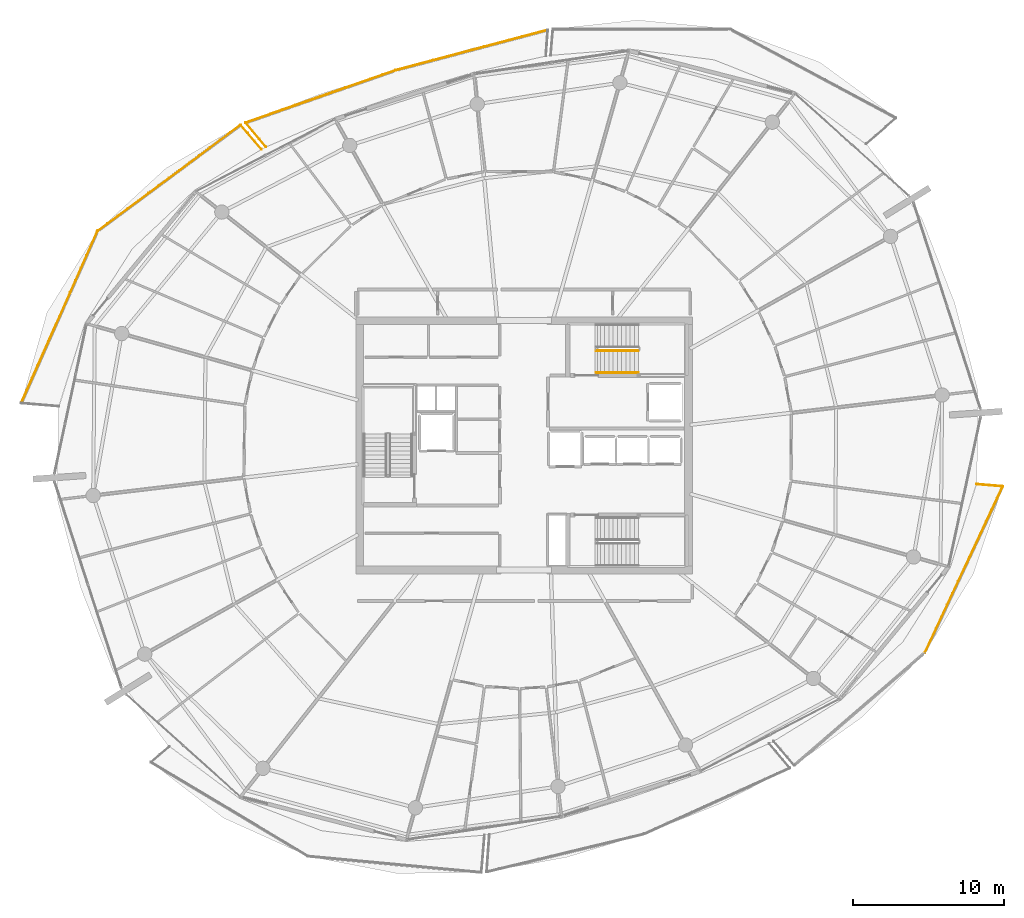
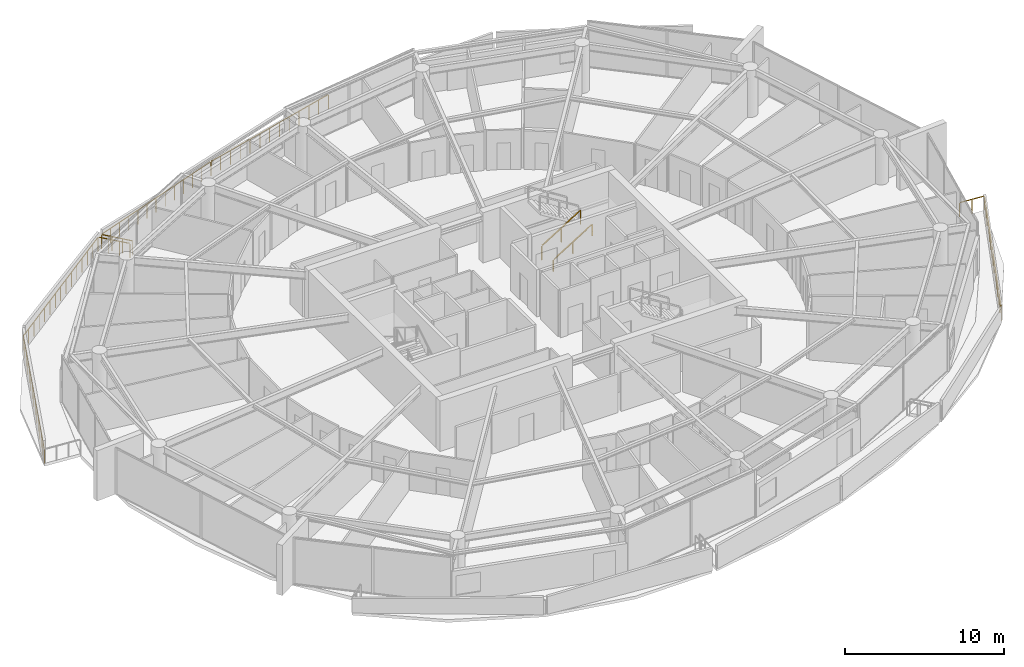
# One storey, part 28 of 30: 10 railings.
"""IFC4 building model written with IfcOpenShell, lengths in metres."""

from ifc_helpers import new_model, si_unit, direction, frame, origin, origin_2d, place, context, subcontext, project, spatial, rectangle, extrude, material, type_object, element, save


model = new_model("IFC4")

# Units and contexts
model_context = context("Model", 3, precision=1e-05, world=origin(), true_north=direction((0.0, 1.0)))
body_context = subcontext(model_context, "Body", "Model", "MODEL_VIEW")
ifc_project = project(units=[si_unit("LENGTHUNIT", "METRE"), si_unit("AREAUNIT", "SQUARE_METRE"), si_unit("VOLUMEUNIT", "CUBIC_METRE"), si_unit("PLANEANGLEUNIT", "RADIAN"), si_unit("MASSUNIT", "GRAM", prefix="KILO")], contexts=[model_context])

# Site, building, storey
site_placement = place(None, origin())
site = spatial("IfcSite", under=ifc_project, at=site_placement, CompositionType="ELEMENT")
building_placement = place(site_placement, origin())
building = spatial("IfcBuilding", under=site, at=building_placement, Name="Kazma Halo Residences", CompositionType="ELEMENT")
storey_placement = place(building_placement, frame((0.0, 0.0, 294.449951171875)))
storey = spatial("IfcBuildingStorey", under=building, at=storey_placement, Name="L74", CompositionType="ELEMENT", Elevation=294.449951171875)

# Railings
ifc_material_1 = material(Name="Aluminium AW-6063 T6 Brushed Cap Rail", Category="aluminium")
railing_type_1 = type_object("IfcRailingType", Name="RLG-BAL-CAP-1120", PredefinedType="BALUSTRADE", material=ifc_material_1)
railing_1_placement = place(storey_placement, frame((49.993408203125, 69.47265625, 0.0)))
element("IfcRailing", 1, at=railing_1_placement, inside=storey, type_object=railing_type_1, Name="L74 NNW wave balcony guard 2", PredefinedType="BALUSTRADE", context=body_context, shape_type="SweptSolid", body=[
    extrude(rectangle(XDim=0.050048828125, YDim=0.050048828125, at=origin_2d()), frame((-0.041015625, -0.010986328125, 1.09521484375), z_axis=(-0.966571887032, -0.256395762836, 0.0), x_axis=(0.256395762836, -0.966571887032, 0.0)), (0.0, 0.0, 1.0), 10.31591796875),
    extrude(rectangle(XDim=0.0400390625, YDim=0.0400390625, at=origin_2d()), origin(), (0.0, 0.0, 1.0), 1.05810546875),
    extrude(rectangle(XDim=0.0400390625, YDim=0.0400390625, at=origin_2d()), frame((-0.837890625, -0.22216796875, 0.0)), (0.0, 0.0, 1.0), 1.05810546875),
    extrude(rectangle(XDim=0.0400390625, YDim=0.0400390625, at=origin_2d()), frame((-1.675537109375, -0.4443359375, 0.0)), (0.0, 0.0, 1.0), 1.05810546875),
    extrude(rectangle(XDim=0.0400390625, YDim=0.0400390625, at=origin_2d()), frame((-2.51318359375, -0.666748046875, 0.0)), (0.0, 0.0, 1.0), 1.05810546875),
    extrude(rectangle(XDim=0.0400390625, YDim=0.0400390625, at=origin_2d()), frame((-3.35107421875, -0.888916015625, 0.0)), (0.0, 0.0, 1.0), 1.05810546875),
    extrude(rectangle(XDim=0.0400390625, YDim=0.0400390625, at=origin_2d()), frame((-4.18896484375, -1.111083984375, 0.0)), (0.0, 0.0, 1.0), 1.05810546875),
    extrude(rectangle(XDim=0.0400390625, YDim=0.0400390625, at=origin_2d()), frame((-5.026611328125, -1.33349609375, 0.0)), (0.0, 0.0, 1.0), 1.05810546875),
    extrude(rectangle(XDim=0.0400390625, YDim=0.0400390625, at=origin_2d()), frame((-5.8642578125, -1.5556640625, 0.0)), (0.0, 0.0, 1.0), 1.05810546875),
    extrude(rectangle(XDim=0.0400390625, YDim=0.0400390625, at=origin_2d()), frame((-6.7021484375, -1.77783203125, 0.0)), (0.0, 0.0, 1.0), 1.05810546875),
    extrude(rectangle(XDim=0.0400390625, YDim=0.0400390625, at=origin_2d()), frame((-7.5400390625, -2.0, 0.0)), (0.0, 0.0, 1.0), 1.05810546875),
    extrude(rectangle(XDim=0.0400390625, YDim=0.0400390625, at=origin_2d()), frame((-8.377685546875, -2.22216796875, 0.0)), (0.0, 0.0, 1.0), 1.05810546875),
    extrude(rectangle(XDim=0.0400390625, YDim=0.0400390625, at=origin_2d()), frame((-9.21533203125, -2.444580078125, 0.0)), (0.0, 0.0, 1.0), 1.05810546875),
    extrude(rectangle(XDim=0.0400390625, YDim=0.0400390625, at=origin_2d()), frame((-10.05322265625, -2.666748046875, 0.0)), (0.0, 0.0, 1.0), 1.05810546875),
])
railing_2_placement = place(storey_placement, frame((39.940185546875, 66.805908203125, 0.0)))
element("IfcRailing", 2, at=railing_2_placement, inside=storey, type_object=railing_type_1, Name="L74 NNW wave balcony guard 3", PredefinedType="BALUSTRADE", context=body_context, shape_type="SweptSolid", body=[
    extrude(rectangle(XDim=0.050048828125, YDim=0.050048828125, at=origin_2d()), frame((-0.0400390625, -0.013916015625, 1.09521484375), z_axis=(-0.943997856529, -0.329951582612, 0.0), x_axis=(0.329951582612, -0.943997856529, 0.0)), (0.0, 0.0, 1.0), 10.4404296875),
    extrude(rectangle(XDim=0.0400390625, YDim=0.0400390625, at=origin_2d()), origin(), (0.0, 0.0, 1.0), 1.05810546875),
    extrude(rectangle(XDim=0.0400390625, YDim=0.0400390625, at=origin_2d()), frame((-0.828125, -0.289306640625, 0.0)), (0.0, 0.0, 1.0), 1.05810546875),
    extrude(rectangle(XDim=0.0400390625, YDim=0.0400390625, at=origin_2d()), frame((-1.656005859375, -0.578857421875, 0.0)), (0.0, 0.0, 1.0), 1.05810546875),
    extrude(rectangle(XDim=0.0400390625, YDim=0.0400390625, at=origin_2d()), frame((-2.48388671875, -0.8681640625, 0.0)), (0.0, 0.0, 1.0), 1.05810546875),
    extrude(rectangle(XDim=0.0400390625, YDim=0.0400390625, at=origin_2d()), frame((-3.31201171875, -1.15771484375, 0.0)), (0.0, 0.0, 1.0), 1.05810546875),
    extrude(rectangle(XDim=0.0400390625, YDim=0.0400390625, at=origin_2d()), frame((-4.14013671875, -1.447021484375, 0.0)), (0.0, 0.0, 1.0), 1.05810546875),
    extrude(rectangle(XDim=0.0400390625, YDim=0.0400390625, at=origin_2d()), frame((-4.968017578125, -1.736328125, 0.0)), (0.0, 0.0, 1.0), 1.05810546875),
    extrude(rectangle(XDim=0.0400390625, YDim=0.0400390625, at=origin_2d()), frame((-5.7958984375, -2.02587890625, 0.0)), (0.0, 0.0, 1.0), 1.05810546875),
    extrude(rectangle(XDim=0.0400390625, YDim=0.0400390625, at=origin_2d()), frame((-6.6240234375, -2.315185546875, 0.0)), (0.0, 0.0, 1.0), 1.05810546875),
    extrude(rectangle(XDim=0.0400390625, YDim=0.0400390625, at=origin_2d()), frame((-7.4521484375, -2.604736328125, 0.0)), (0.0, 0.0, 1.0), 1.05810546875),
    extrude(rectangle(XDim=0.0400390625, YDim=0.0400390625, at=origin_2d()), frame((-8.280029296875, -2.89404296875, 0.0)), (0.0, 0.0, 1.0), 1.05810546875),
    extrude(rectangle(XDim=0.0400390625, YDim=0.0400390625, at=origin_2d()), frame((-9.10791015625, -3.18359375, 0.0)), (0.0, 0.0, 1.0), 1.05810546875),
    extrude(rectangle(XDim=0.0400390625, YDim=0.0400390625, at=origin_2d()), frame((-9.93603515625, -3.472900390625, 0.0)), (0.0, 0.0, 1.0), 1.05810546875),
])
railing_3_placement = place(storey_placement, frame((30.004150390625, 63.3330078125, 0.0)))
element("IfcRailing", 3, at=railing_3_placement, inside=storey, type_object=railing_type_1, Name="L74 NNW wave balcony guard 4", PredefinedType="BALUSTRADE", context=body_context, shape_type="SweptSolid", body=[
    extrude(rectangle(XDim=0.050048828125, YDim=0.050048828125, at=origin_2d()), frame((0.02734375, -0.032470703125, 1.09521484375), z_axis=(0.644813519354, -0.764339927819, 0.0), x_axis=(0.764339927819, 0.644813519354, 0.0)), (0.0, 0.0, 1.0), 2.010498046875),
    extrude(rectangle(XDim=0.0400390625, YDim=0.0400390625, at=origin_2d()), origin(), (0.0, 0.0, 1.0), 1.05810546875),
    extrude(rectangle(XDim=0.0400390625, YDim=0.0400390625, at=origin_2d()), frame((0.450439453125, -0.533935546875, 0.0)), (0.0, 0.0, 1.0), 1.05810546875),
    extrude(rectangle(XDim=0.0400390625, YDim=0.0400390625, at=origin_2d()), frame((0.90087890625, -1.06787109375, 0.0)), (0.0, 0.0, 1.0), 1.05810546875),
    extrude(rectangle(XDim=0.0400390625, YDim=0.0400390625, at=origin_2d()), frame((1.351318359375, -1.601806640625, 0.0)), (0.0, 0.0, 1.0), 1.05810546875),
])
railing_4_placement = place(storey_placement, frame((31.06787109375, 61.58154296875, 0.0)))
element("IfcRailing", 4, at=railing_4_placement, inside=storey, type_object=railing_type_1, Name="L74 NW wave balcony guard 1", PredefinedType="BALUSTRADE", context=body_context, shape_type="SweptSolid", body=[
    extrude(rectangle(XDim=0.050048828125, YDim=0.050048828125, at=origin_2d()), frame((-0.02783203125, 0.0322265625, 1.09521484375), z_axis=(-0.65411453311, 0.756395516628, 0.0), x_axis=(-0.756395516628, -0.65411453311, 0.0)), (0.0, 0.0, 1.0), 2.034423828125),
    extrude(rectangle(XDim=0.0400390625, YDim=0.0400390625, at=origin_2d()), origin(), (0.0, 0.0, 1.0), 1.05810546875),
    extrude(rectangle(XDim=0.0400390625, YDim=0.0400390625, at=origin_2d()), frame((-0.462158203125, 0.534423828125, 0.0)), (0.0, 0.0, 1.0), 1.05810546875),
    extrude(rectangle(XDim=0.0400390625, YDim=0.0400390625, at=origin_2d()), frame((-0.92431640625, 1.06884765625, 0.0)), (0.0, 0.0, 1.0), 1.05810546875),
    extrude(rectangle(XDim=0.0400390625, YDim=0.0400390625, at=origin_2d()), frame((-1.386474609375, 1.603271484375, 0.0)), (0.0, 0.0, 1.0), 1.05810546875),
])
railing_5_placement = place(storey_placement, frame((29.681396484375, 63.184814453125, 0.0)))
element("IfcRailing", 5, at=railing_5_placement, inside=storey, type_object=railing_type_1, Name="L74 NW wave balcony guard 2", PredefinedType="BALUSTRADE", context=body_context, shape_type="SweptSolid", body=[
    extrude(rectangle(XDim=0.050048828125, YDim=0.050048828125, at=origin_2d()), frame((-0.0341796875, -0.025390625, 1.09521484375), z_axis=(-0.803328675668, -0.595535925742, 0.0), x_axis=(0.595535925742, -0.803328675668, 0.0)), (0.0, 0.0, 1.0), 11.708740234375),
    extrude(rectangle(XDim=0.0400390625, YDim=0.0400390625, at=origin_2d()), origin(), (0.0, 0.0, 1.0), 1.05810546875),
    extrude(rectangle(XDim=0.0400390625, YDim=0.0400390625, at=origin_2d()), frame((-0.6767578125, -0.501708984375, 0.0)), (0.0, 0.0, 1.0), 1.05810546875),
    extrude(rectangle(XDim=0.0400390625, YDim=0.0400390625, at=origin_2d()), frame((-1.353515625, -1.00341796875, 0.0)), (0.0, 0.0, 1.0), 1.05810546875),
    extrude(rectangle(XDim=0.0400390625, YDim=0.0400390625, at=origin_2d()), frame((-2.0302734375, -1.505126953125, 0.0)), (0.0, 0.0, 1.0), 1.05810546875),
    extrude(rectangle(XDim=0.0400390625, YDim=0.0400390625, at=origin_2d()), frame((-2.70703125, -2.0068359375, 0.0)), (0.0, 0.0, 1.0), 1.05810546875),
    extrude(rectangle(XDim=0.0400390625, YDim=0.0400390625, at=origin_2d()), frame((-3.3837890625, -2.508544921875, 0.0)), (0.0, 0.0, 1.0), 1.05810546875),
    extrude(rectangle(XDim=0.0400390625, YDim=0.0400390625, at=origin_2d()), frame((-4.060546875, -3.01025390625, 0.0)), (0.0, 0.0, 1.0), 1.05810546875),
    extrude(rectangle(XDim=0.0400390625, YDim=0.0400390625, at=origin_2d()), frame((-4.7373046875, -3.51171875, 0.0)), (0.0, 0.0, 1.0), 1.05810546875),
    extrude(rectangle(XDim=0.0400390625, YDim=0.0400390625, at=origin_2d()), frame((-5.413818359375, -4.013427734375, 0.0)), (0.0, 0.0, 1.0), 1.05810546875),
    extrude(rectangle(XDim=0.0400390625, YDim=0.0400390625, at=origin_2d()), frame((-6.090576171875, -4.51513671875, 0.0)), (0.0, 0.0, 1.0), 1.05810546875),
    extrude(rectangle(XDim=0.0400390625, YDim=0.0400390625, at=origin_2d()), frame((-6.767333984375, -5.016845703125, 0.0)), (0.0, 0.0, 1.0), 1.05810546875),
    extrude(rectangle(XDim=0.0400390625, YDim=0.0400390625, at=origin_2d()), frame((-7.444091796875, -5.5185546875, 0.0)), (0.0, 0.0, 1.0), 1.05810546875),
    extrude(rectangle(XDim=0.0400390625, YDim=0.0400390625, at=origin_2d()), frame((-8.120849609375, -6.020263671875, 0.0)), (0.0, 0.0, 1.0), 1.05810546875),
    extrude(rectangle(XDim=0.0400390625, YDim=0.0400390625, at=origin_2d()), frame((-8.797607421875, -6.52197265625, 0.0)), (0.0, 0.0, 1.0), 1.05810546875),
    extrude(rectangle(XDim=0.0400390625, YDim=0.0400390625, at=origin_2d()), frame((-9.474365234375, -7.023681640625, 0.0)), (0.0, 0.0, 1.0), 1.05810546875),
])
railing_6_placement = place(storey_placement, frame((20.20703125, 56.1611328125, 0.0)))
element("IfcRailing", 6, at=railing_6_placement, inside=storey, type_object=railing_type_1, Name="L74 NW wave balcony guard 3", PredefinedType="BALUSTRADE", context=body_context, shape_type="SweptSolid", body=[
    extrude(rectangle(XDim=0.050048828125, YDim=0.050048828125, at=origin_2d()), frame((-0.017333984375, -0.038818359375, 1.09521484375), z_axis=(-0.405326368951, -0.914172048705, 0.0), x_axis=(0.914172048705, -0.405326368951, 0.0)), (0.0, 0.0, 1.0), 12.35791015625),
    extrude(rectangle(XDim=0.0400390625, YDim=0.0400390625, at=origin_2d()), origin(), (0.0, 0.0, 1.0), 1.05810546875),
    extrude(rectangle(XDim=0.0400390625, YDim=0.0400390625, at=origin_2d()), frame((-0.3603515625, -0.8125, 0.0)), (0.0, 0.0, 1.0), 1.05810546875),
    extrude(rectangle(XDim=0.0400390625, YDim=0.0400390625, at=origin_2d()), frame((-0.720458984375, -1.625, 0.0)), (0.0, 0.0, 1.0), 1.05810546875),
    extrude(rectangle(XDim=0.0400390625, YDim=0.0400390625, at=origin_2d()), frame((-1.080810546875, -2.4375, 0.0)), (0.0, 0.0, 1.0), 1.05810546875),
    extrude(rectangle(XDim=0.0400390625, YDim=0.0400390625, at=origin_2d()), frame((-1.44091796875, -3.25, 0.0)), (0.0, 0.0, 1.0), 1.05810546875),
    extrude(rectangle(XDim=0.0400390625, YDim=0.0400390625, at=origin_2d()), frame((-1.80126953125, -4.0625, 0.0)), (0.0, 0.0, 1.0), 1.05810546875),
    extrude(rectangle(XDim=0.0400390625, YDim=0.0400390625, at=origin_2d()), frame((-2.161376953125, -4.875, 0.0)), (0.0, 0.0, 1.0), 1.05810546875),
    extrude(rectangle(XDim=0.0400390625, YDim=0.0400390625, at=origin_2d()), frame((-2.521728515625, -5.6875, 0.0)), (0.0, 0.0, 1.0), 1.05810546875),
    extrude(rectangle(XDim=0.0400390625, YDim=0.0400390625, at=origin_2d()), frame((-2.882080078125, -6.5, 0.0)), (0.0, 0.0, 1.0), 1.05810546875),
    extrude(rectangle(XDim=0.0400390625, YDim=0.0400390625, at=origin_2d()), frame((-3.2421875, -7.3125, 0.0)), (0.0, 0.0, 1.0), 1.05810546875),
    extrude(rectangle(XDim=0.0400390625, YDim=0.0400390625, at=origin_2d()), frame((-3.6025390625, -8.125, 0.0)), (0.0, 0.0, 1.0), 1.05810546875),
    extrude(rectangle(XDim=0.0400390625, YDim=0.0400390625, at=origin_2d()), frame((-3.962646484375, -8.9375, 0.0)), (0.0, 0.0, 1.0), 1.05810546875),
    extrude(rectangle(XDim=0.0400390625, YDim=0.0400390625, at=origin_2d()), frame((-4.322998046875, -9.75, 0.0)), (0.0, 0.0, 1.0), 1.05810546875),
    extrude(rectangle(XDim=0.0400390625, YDim=0.0400390625, at=origin_2d()), frame((-4.68310546875, -10.5625, 0.0)), (0.0, 0.0, 1.0), 1.05810546875),
    extrude(rectangle(XDim=0.0400390625, YDim=0.0400390625, at=origin_2d()), frame((-5.04345703125, -11.375, 0.0)), (0.0, 0.0, 1.0), 1.05810546875),
])
railing_7_placement = place(storey_placement, frame((74.936767578125, 28.27490234375, 0.0)))
element("IfcRailing", 7, at=railing_7_placement, inside=storey, type_object=railing_type_1, Name="L74 SE wave balcony guard 3", PredefinedType="BALUSTRADE", context=body_context, shape_type="SweptSolid", body=[
    extrude(rectangle(XDim=0.050048828125, YDim=0.050048828125, at=origin_2d()), frame((0.01806640625, 0.03857421875, 1.09521484375), z_axis=(0.424183132305, 0.905576429832, 0.0), x_axis=(-0.905576429832, 0.424183132305, 0.0)), (0.0, 0.0, 1.0), 12.064208984375),
    extrude(rectangle(XDim=0.0400390625, YDim=0.0400390625, at=origin_2d()), origin(), (0.0, 0.0, 1.0), 1.05810546875),
    extrude(rectangle(XDim=0.0400390625, YDim=0.0400390625, at=origin_2d()), frame((0.3681640625, 0.785888671875, 0.0)), (0.0, 0.0, 1.0), 1.05810546875),
    extrude(rectangle(XDim=0.0400390625, YDim=0.0400390625, at=origin_2d()), frame((0.736328125, 1.57177734375, 0.0)), (0.0, 0.0, 1.0), 1.05810546875),
    extrude(rectangle(XDim=0.0400390625, YDim=0.0400390625, at=origin_2d()), frame((1.104248046875, 2.357666015625, 0.0)), (0.0, 0.0, 1.0), 1.05810546875),
    extrude(rectangle(XDim=0.0400390625, YDim=0.0400390625, at=origin_2d()), frame((1.472412109375, 3.1435546875, 0.0)), (0.0, 0.0, 1.0), 1.05810546875),
    extrude(rectangle(XDim=0.0400390625, YDim=0.0400390625, at=origin_2d()), frame((1.840576171875, 3.929443359375, 0.0)), (0.0, 0.0, 1.0), 1.05810546875),
    extrude(rectangle(XDim=0.0400390625, YDim=0.0400390625, at=origin_2d()), frame((2.208740234375, 4.71533203125, 0.0)), (0.0, 0.0, 1.0), 1.05810546875),
    extrude(rectangle(XDim=0.0400390625, YDim=0.0400390625, at=origin_2d()), frame((2.57666015625, 5.5009765625, 0.0)), (0.0, 0.0, 1.0), 1.05810546875),
    extrude(rectangle(XDim=0.0400390625, YDim=0.0400390625, at=origin_2d()), frame((2.94482421875, 6.286865234375, 0.0)), (0.0, 0.0, 1.0), 1.05810546875),
    extrude(rectangle(XDim=0.0400390625, YDim=0.0400390625, at=origin_2d()), frame((3.31298828125, 7.07275390625, 0.0)), (0.0, 0.0, 1.0), 1.05810546875),
    extrude(rectangle(XDim=0.0400390625, YDim=0.0400390625, at=origin_2d()), frame((3.68115234375, 7.858642578125, 0.0)), (0.0, 0.0, 1.0), 1.05810546875),
    extrude(rectangle(XDim=0.0400390625, YDim=0.0400390625, at=origin_2d()), frame((4.04931640625, 8.64453125, 0.0)), (0.0, 0.0, 1.0), 1.05810546875),
    extrude(rectangle(XDim=0.0400390625, YDim=0.0400390625, at=origin_2d()), frame((4.417236328125, 9.430419921875, 0.0)), (0.0, 0.0, 1.0), 1.05810546875),
    extrude(rectangle(XDim=0.0400390625, YDim=0.0400390625, at=origin_2d()), frame((4.785400390625, 10.21630859375, 0.0)), (0.0, 0.0, 1.0), 1.05810546875),
    extrude(rectangle(XDim=0.0400390625, YDim=0.0400390625, at=origin_2d()), frame((5.153564453125, 11.002197265625, 0.0)), (0.0, 0.0, 1.0), 1.05810546875),
])
railing_8_placement = place(storey_placement, frame((80.09033203125, 39.277099609375, 0.0)))
element("IfcRailing", 8, at=railing_8_placement, inside=storey, type_object=railing_type_1, Name="L74 SE wave balcony guard 4", PredefinedType="BALUSTRADE", context=body_context, shape_type="SweptSolid", body=[
    extrude(rectangle(XDim=0.050048828125, YDim=0.050048828125, at=origin_2d()), frame((-0.04248046875, 0.003662109375, 1.09521484375), z_axis=(-0.996417331857, 0.084572458722, 0.0), x_axis=(-0.084572458722, -0.996417331857, 0.0)), (0.0, 0.0, 1.0), 1.661376953125),
    extrude(rectangle(XDim=0.0400390625, YDim=0.0400390625, at=origin_2d()), origin(), (0.0, 0.0, 1.0), 1.05810546875),
    extrude(rectangle(XDim=0.0400390625, YDim=0.0400390625, at=origin_2d()), frame((-0.8701171875, 0.07373046875, 0.0)), (0.0, 0.0, 1.0), 1.05810546875),
    extrude(rectangle(XDim=0.0400390625, YDim=0.0400390625, at=origin_2d()), frame((-1.740234375, 0.147705078125, 0.0)), (0.0, 0.0, 1.0), 1.05810546875),
])
ifc_material_2 = material(Name="Painted Steel S355", Category="steel")
railing_type_2 = type_object("IfcRailingType", Name="RLG-STAIR-GRD-1100", PredefinedType="GUARDRAIL", material=ifc_material_2)
railing_9_placement = place(storey_placement, frame((53.199951171875, 48.25, 0.175048828125)))
element("IfcRailing", 9, at=railing_9_placement, inside=storey, type_object=railing_type_2, Name="L74 ST-02 stair guard 1", PredefinedType="GUARDRAIL", context=body_context, shape_type="SweptSolid", body=[
    extrude(rectangle(XDim=0.050048828125, YDim=0.050048828125, at=origin_2d()), frame((0.0361328125, 0.0, 1.09765625), z_axis=(0.848002457836, 0.0, 0.529992293815), x_axis=(0.0, 1.0, 0.0)), (0.0, 0.0, 1.0), 3.216796875),
    extrude(rectangle(XDim=0.0400390625, YDim=0.0400390625, at=origin_2d()), origin(), (0.0, 0.0, 1.0), 1.0380859375),
    extrude(rectangle(XDim=0.0400390625, YDim=0.0400390625, at=origin_2d()), frame((1.39990234375, 0.0, 0.875)), (0.0, 0.0, 1.0), 1.0380859375),
    extrude(rectangle(XDim=0.0400390625, YDim=0.0400390625, at=origin_2d()), frame((2.800048828125, 0.0, 1.75)), (0.0, 0.0, 1.0), 1.0380859375),
])
ifc_material_3 = material(Name="Brushed Stainless Steel", Category="steel")
railing_type_3 = type_object("IfcRailingType", Name="RLG-STAIR-HND-900", PredefinedType="HANDRAIL", material=ifc_material_3)
railing_10_placement = place(storey_placement, frame((53.199951171875, 46.800048828125, 0.175048828125)))
element("IfcRailing", 10, at=railing_10_placement, inside=storey, type_object=railing_type_3, Name="L74 ST-02 stair handrail 1", PredefinedType="HANDRAIL", context=body_context, shape_type="SweptSolid", body=[
    extrude(rectangle(XDim=0.050048828125, YDim=0.050048828125, at=origin_2d()), frame((0.0361328125, 0.0, 0.8974609375), z_axis=(0.848002457836, 0.0, 0.529992293815), x_axis=(0.0, 1.0, 0.0)), (0.0, 0.0, 1.0), 3.216796875),
    extrude(rectangle(XDim=0.0400390625, YDim=0.0400390625, at=origin_2d()), origin(), (0.0, 0.0, 1.0), 0.837890625),
    extrude(rectangle(XDim=0.0400390625, YDim=0.0400390625, at=origin_2d()), frame((1.39990234375, 0.0, 0.875)), (0.0, 0.0, 1.0), 0.837890625),
    extrude(rectangle(XDim=0.0400390625, YDim=0.0400390625, at=origin_2d()), frame((2.800048828125, 0.0, 1.75)), (0.0, 0.0, 1.0), 0.837890625),
])

save(model, "model.ifc")
